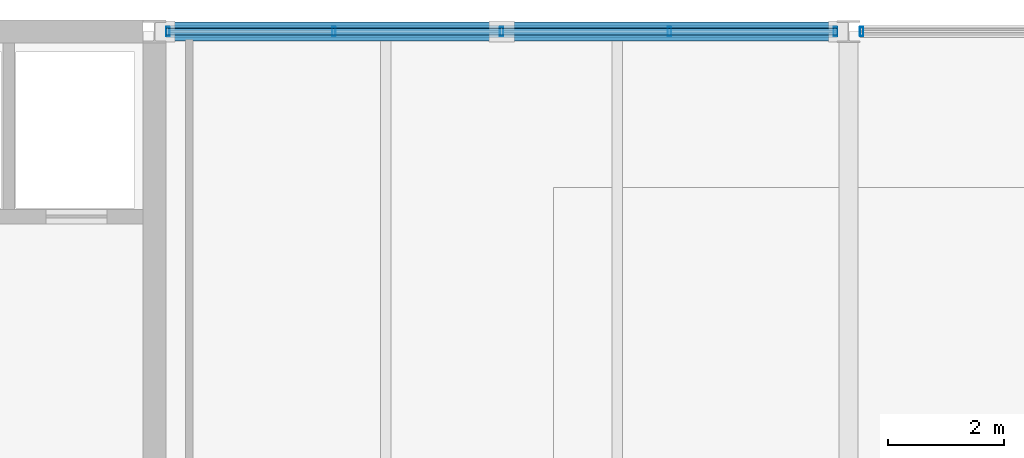
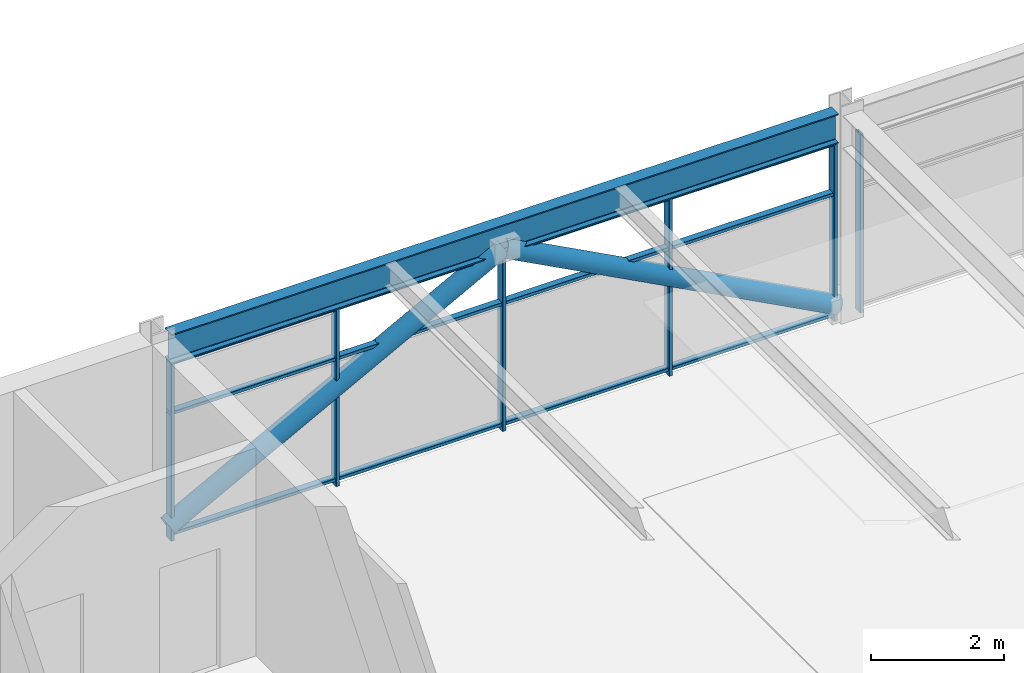
# One storey, part 39 of 51: 11 members, 1 beam, 2 elements without a shape of their own.
"""IFC4 building model written with IfcOpenShell, lengths in metres."""

from ifc_helpers import new_model, si_unit, direction, frame, origin, origin_2d, place, context, subcontext, project, spatial, hollow_rectangle, hollow_circle, i_section, extrude, material, material_profile, profile_set, type_object, element, aggregate, save


model = new_model("IFC4")

# Units and contexts
model_context = context("Model", 3, precision=1e-05, world=origin(), true_north=direction((0.0, 1.0)))
body_context = subcontext(model_context, "Body", "Model", "MODEL_VIEW")
ifc_project = project(units=[si_unit("LENGTHUNIT", "METRE"), si_unit("AREAUNIT", "SQUARE_METRE"), si_unit("VOLUMEUNIT", "CUBIC_METRE"), si_unit("PLANEANGLEUNIT", "RADIAN"), si_unit("MASSUNIT", "GRAM", prefix="KILO")], contexts=[model_context])

# Site, building, storey
site_placement = place(None, origin())
site = spatial("IfcSite", under=ifc_project, at=site_placement, CompositionType="ELEMENT")
building_placement = place(site_placement, origin())
building = spatial("IfcBuilding", under=site, at=building_placement, Name="Girod Span Mobility Hub", CompositionType="ELEMENT")
storey_placement = place(building_placement, frame((0.0, 0.0, 41.60009765625)))
storey = spatial("IfcBuildingStorey", under=building, at=storey_placement, Name="L10", CompositionType="ELEMENT", Elevation=41.60009765625)

# Beam
ifc_material_1 = material(Name="Steel A992 Grade 50", Category="steel")
ifc_material_profile_1 = material_profile(ifc_material_1, i_section(OverallWidth=0.2119140625, OverallDepth=0.5439453125, WebThickness=0.01318359375, FlangeThickness=0.021240234375, FilletRadius=0.014892578125, at=origin_2d()), Name="W21X83")
ifc_profile_set_1 = profile_set([ifc_material_profile_1], Name="Steel A992 Grade 50")
beam_type = type_object("IfcBeamType", Name="BM-STL-W21X83", PredefinedType="SPANDREL", material=ifc_profile_set_1)
beam_placement = place(storey_placement, frame((120.196533203125, 69.0, 3.552978515625), z_axis=(1.0, 0.0, 0.0), x_axis=(0.0, 1.0, 0.0)))
element("IfcBeam", 1, at=beam_placement, inside=storey, type_object=beam_type, Name="Girder 11-12/F L10", PredefinedType="SPANDREL", context=body_context, shape_type="SweptSolid", body=[
    extrude(i_section(OverallWidth=0.2119140625, OverallDepth=0.5439453125, WebThickness=0.01318359375, FlangeThickness=0.021240234375, FilletRadius=0.014892578125, at=origin_2d()), origin(), (0.0, 0.0, 1.0), 11.609375),
])

# Curtain wall, members
ifc_material_2 = material(Name="Thermally Broken Anodised Aluminium", Category="aluminium")
curtain_wall_type = type_object("IfcCurtainWallType", Name="CW-1161X328", PredefinedType="USERDEFINED", material=ifc_material_2)
curtain_wall_1_placement = place(storey_placement, origin())
curtain_wall_1 = element("IfcCurtainWall", 2, at=curtain_wall_1_placement, inside=storey, type_object=curtain_wall_type, Name="Unitised Curtain Wall CW-L10-N11 L10", ObjectType="UNITISED CURTAIN WALL", PredefinedType="USERDEFINED")
ifc_material_3 = material(Name="Thermally Broken Anodised Aluminium", Category="aluminium")
ifc_material_profile_2 = material_profile(ifc_material_3, hollow_rectangle(XDim=0.159912109375, YDim=0.06005859375, WallThickness=0.00341796875, InnerFilletRadius=0.00341796875, OuterFilletRadius=0.007080078125, at=origin_2d()), Name="CW-ML-60X160")
ifc_profile_set_2 = profile_set([ifc_material_profile_2], Name="Thermally Broken Anodised Aluminium")
member_type_1 = type_object("IfcMemberType", Name="CWM-ML-3", PredefinedType="MULLION", material=ifc_profile_set_2)
member_1_placement = place(storey_placement, frame((120.2294921875, 69.0, 0.0), z_axis=(0.0, 0.0, 1.0), x_axis=(0.0, 1.0, 0.0)))
member_1 = element("IfcMember", 3, at=member_1_placement, type_object=member_type_1, Name="Curtain Wall Mullion CW-L10-N11-M0", PredefinedType="MULLION", context=body_context, shape_type="SweptSolid", body=[
    extrude(hollow_rectangle(XDim=0.159912109375, YDim=0.06005859375, WallThickness=0.00341796875, InnerFilletRadius=0.00341796875, OuterFilletRadius=0.007080078125, at=origin_2d()), origin(), (0.0, 0.0, 1.0), 3.281005859375),
])
member_2_placement = place(storey_placement, frame((123.099365234375, 69.0, 0.0), z_axis=(0.0, 0.0, 1.0), x_axis=(0.0, 1.0, 0.0)))
member_2 = element("IfcMember", 4, at=member_2_placement, type_object=member_type_1, Name="Curtain Wall Mullion CW-L10-N11-M1", PredefinedType="MULLION", context=body_context, shape_type="SweptSolid", body=[
    extrude(hollow_rectangle(XDim=0.159912109375, YDim=0.06005859375, WallThickness=0.00341796875, InnerFilletRadius=0.00341796875, OuterFilletRadius=0.007080078125, at=origin_2d()), origin(), (0.0, 0.0, 1.0), 3.281005859375),
])
member_3_placement = place(storey_placement, frame((126.001220703125, 69.0, 0.0), z_axis=(0.0, 0.0, 1.0), x_axis=(0.0, 1.0, 0.0)))
member_3 = element("IfcMember", 5, at=member_3_placement, type_object=member_type_1, Name="Curtain Wall Mullion CW-L10-N11-M2", PredefinedType="MULLION", context=body_context, shape_type="SweptSolid", body=[
    extrude(hollow_rectangle(XDim=0.159912109375, YDim=0.06005859375, WallThickness=0.00341796875, InnerFilletRadius=0.00341796875, OuterFilletRadius=0.007080078125, at=origin_2d()), origin(), (0.0, 0.0, 1.0), 3.281005859375),
])
member_4_placement = place(storey_placement, frame((128.903076171875, 69.0, 0.0), z_axis=(0.0, 0.0, 1.0), x_axis=(0.0, 1.0, 0.0)))
member_4 = element("IfcMember", 6, at=member_4_placement, type_object=member_type_1, Name="Curtain Wall Mullion CW-L10-N11-M3", PredefinedType="MULLION", context=body_context, shape_type="SweptSolid", body=[
    extrude(hollow_rectangle(XDim=0.159912109375, YDim=0.06005859375, WallThickness=0.00341796875, InnerFilletRadius=0.00341796875, OuterFilletRadius=0.007080078125, at=origin_2d()), origin(), (0.0, 0.0, 1.0), 3.281005859375),
])
member_5_placement = place(storey_placement, frame((131.77294921875, 69.0, 0.0), z_axis=(0.0, 0.0, 1.0), x_axis=(0.0, 1.0, 0.0)))
member_5 = element("IfcMember", 7, at=member_5_placement, type_object=member_type_1, Name="Curtain Wall Mullion CW-L10-N11-M4", PredefinedType="MULLION", context=body_context, shape_type="SweptSolid", body=[
    extrude(hollow_rectangle(XDim=0.159912109375, YDim=0.06005859375, WallThickness=0.00341796875, InnerFilletRadius=0.00341796875, OuterFilletRadius=0.007080078125, at=origin_2d()), origin(), (0.0, 0.0, 1.0), 3.281005859375),
])

# Curtain wall, member
curtain_wall_2_placement = place(storey_placement, origin())
curtain_wall_2 = element("IfcCurtainWall", 8, at=curtain_wall_2_placement, inside=storey, type_object=curtain_wall_type, Name="Unitised Curtain Wall CW-L10-N12 L10", ObjectType="UNITISED CURTAIN WALL", PredefinedType="USERDEFINED")
member_6_placement = place(storey_placement, frame((132.22705078125, 69.0, 0.0), z_axis=(0.0, 0.0, 1.0), x_axis=(0.0, 1.0, 0.0)))
member_6 = element("IfcMember", 9, at=member_6_placement, type_object=member_type_1, Name="Curtain Wall Mullion CW-L10-N12-M0", PredefinedType="MULLION", context=body_context, shape_type="SweptSolid", body=[
    extrude(hollow_rectangle(XDim=0.159912109375, YDim=0.06005859375, WallThickness=0.00341796875, InnerFilletRadius=0.00341796875, OuterFilletRadius=0.007080078125, at=origin_2d()), origin(), (0.0, 0.0, 1.0), 3.281005859375),
])
aggregate(curtain_wall_2, [member_6])

# Member
ifc_material_4 = material(Name="Thermally Broken Anodised Aluminium", Category="aluminium")
ifc_material_profile_3 = material_profile(ifc_material_4, hollow_rectangle(XDim=0.1201171875, YDim=0.06005859375, WallThickness=0.00341796875, InnerFilletRadius=0.00341796875, OuterFilletRadius=0.007080078125, at=origin_2d()), Name="CW-TR-60X120")
ifc_profile_set_3 = profile_set([ifc_material_profile_3], Name="Thermally Broken Anodised Aluminium")
member_type_2 = type_object("IfcMemberType", Name="CWM-TR-3", PredefinedType="USERDEFINED", material=ifc_profile_set_3)
member_7_placement = place(storey_placement, frame((120.197509765625, 69.0, 0.10986328125), z_axis=(1.0, 0.0, 0.0), x_axis=(0.0, 1.0, 0.0)))
member_7 = element("IfcMember", 10, at=member_7_placement, type_object=member_type_2, Name="Curtain Wall Transom CW-L10-N11-T1", ObjectType="TRANSOM", PredefinedType="USERDEFINED", context=body_context, shape_type="SweptSolid", body=[
    extrude(hollow_rectangle(XDim=0.1201171875, YDim=0.06005859375, WallThickness=0.00341796875, InnerFilletRadius=0.00341796875, OuterFilletRadius=0.007080078125, at=origin_2d()), origin(), (0.0, 0.0, 1.0), 11.607421875),
])

member_8_placement = place(storey_placement, frame((120.197509765625, 69.0, 2.332275390625), z_axis=(1.0, 0.0, 0.0), x_axis=(0.0, 1.0, 0.0)))
member_8 = element("IfcMember", 11, at=member_8_placement, type_object=member_type_2, Name="Curtain Wall Transom CW-L10-N11-T2", ObjectType="TRANSOM", PredefinedType="USERDEFINED", context=body_context, shape_type="SweptSolid", body=[
    extrude(hollow_rectangle(XDim=0.1201171875, YDim=0.06005859375, WallThickness=0.00341796875, InnerFilletRadius=0.00341796875, OuterFilletRadius=0.007080078125, at=origin_2d()), origin(), (0.0, 0.0, 1.0), 11.607421875),
])

member_9_placement = place(storey_placement, frame((120.197509765625, 69.0, 3.2509765625), z_axis=(1.0, 0.0, 0.0), x_axis=(0.0, 1.0, 0.0)))
member_9 = element("IfcMember", 12, at=member_9_placement, type_object=member_type_2, Name="Curtain Wall Transom CW-L10-N11-T3", ObjectType="TRANSOM", PredefinedType="USERDEFINED", context=body_context, shape_type="SweptSolid", body=[
    extrude(hollow_rectangle(XDim=0.1201171875, YDim=0.06005859375, WallThickness=0.00341796875, InnerFilletRadius=0.00341796875, OuterFilletRadius=0.007080078125, at=origin_2d()), origin(), (0.0, 0.0, 1.0), 11.607421875),
])

aggregate(curtain_wall_1, [member_1, member_2, member_3, member_4, member_5, member_7, member_8, member_9])

# Members
ifc_material_5 = material(Name="Steel HSS A500 Grade C", Category="steel")
ifc_material_profile_4 = material_profile(ifc_material_5, hollow_circle(Radius=0.162109375, WallThickness=0.01171875, at=origin_2d()), Name="HSS324X12.7")
ifc_profile_set_4 = profile_set([ifc_material_profile_4], Name="Steel HSS A500 Grade C")
member_type_3 = type_object("IfcMemberType", Name="MB-BR-HSS324", PredefinedType="BRACE", material=ifc_profile_set_4)
member_10_placement = place(storey_placement, frame((120.179443359375, 69.0, 0.25), z_axis=(0.883200602, 0.0, 0.46899541216), x_axis=(0.0, 1.0, 0.0)))
element("IfcMember", 13, at=member_10_placement, inside=storey, type_object=member_type_3, Name="Upper Diagrid Brace 11/F-L L10", PredefinedType="BRACE", context=body_context, shape_type="SweptSolid", body=[
    extrude(hollow_circle(Radius=0.162109375, WallThickness=0.01171875, at=origin_2d()), origin(), (0.0, 0.0, 1.0), 6.59033203125),
])
member_11_placement = place(storey_placement, frame((131.822998046875, 69.0, 0.25), z_axis=(-0.883282045976, 0.0, 0.468842006711), x_axis=(0.0, -1.0, 0.0)))
element("IfcMember", 14, at=member_11_placement, inside=storey, type_object=member_type_3, Name="Upper Diagrid Brace 11/F-R L10", PredefinedType="BRACE", context=body_context, shape_type="SweptSolid", body=[
    extrude(hollow_circle(Radius=0.162109375, WallThickness=0.01171875, at=origin_2d()), origin(), (0.0, 0.0, 1.0), 6.592529296875),
])

save(model, "model.ifc")
